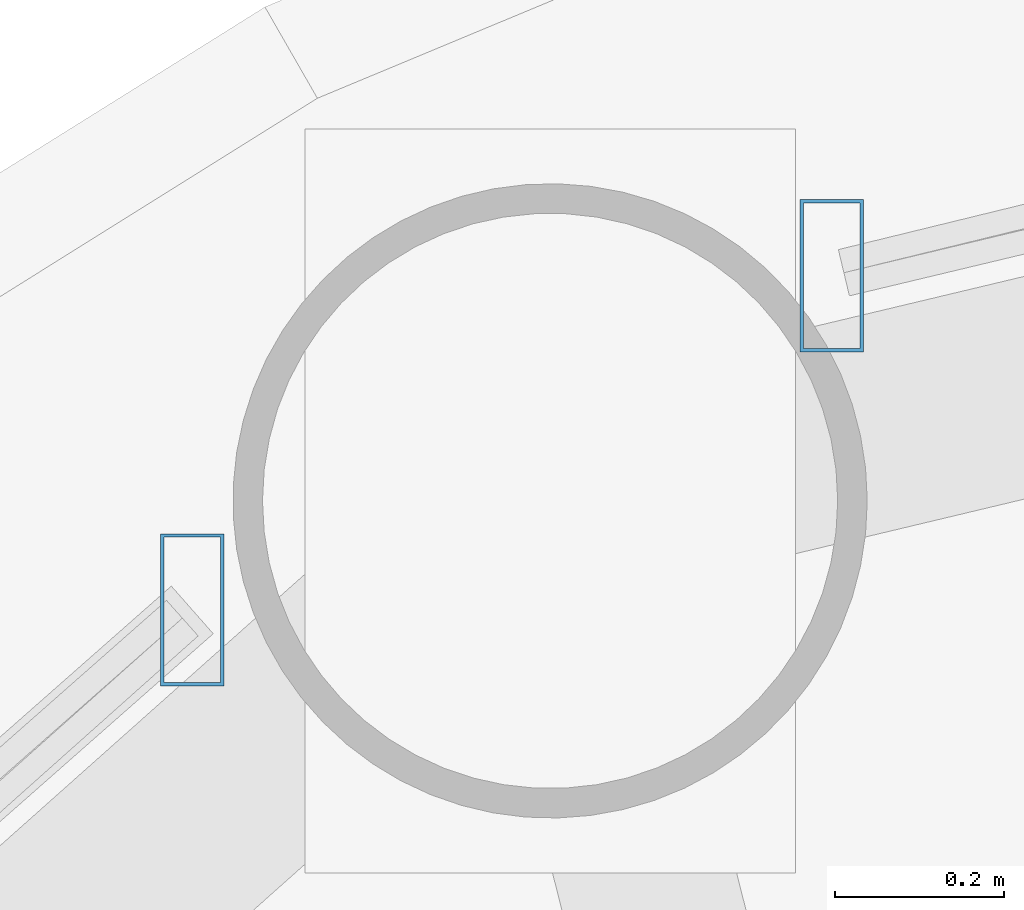
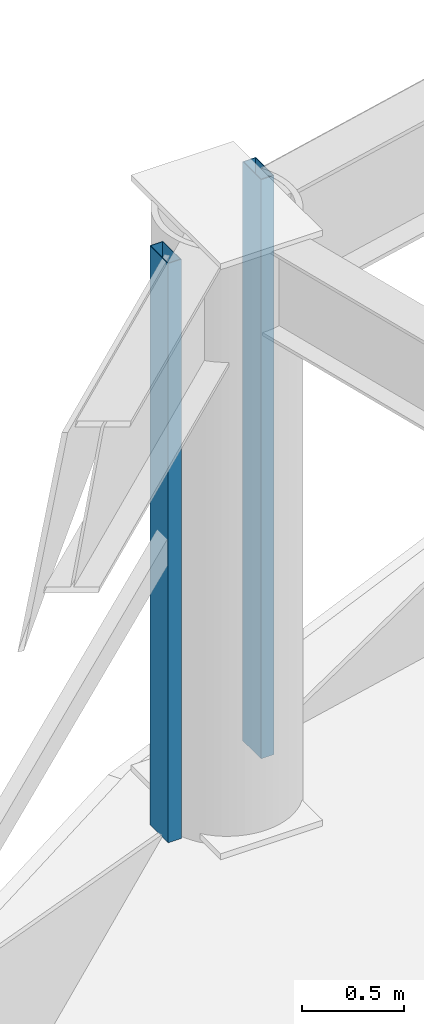
# One storey, part 16 of 31: 2 members, 2 elements without a shape of their own.
"""IFC4 building model written with IfcOpenShell, lengths in metres."""

from ifc_helpers import new_model, si_unit, direction, frame, origin, origin_2d, place, context, subcontext, project, spatial, hollow_rectangle, extrude, material, layer, layer_set, material_profile, profile_set, type_object, element, aggregate, save


model = new_model("IFC4")

# Units and contexts
model_context = context("Model", 3, precision=1e-05, world=origin(), true_north=direction((0.0, 1.0)))
body_context = subcontext(model_context, "Body", "Model", "MODEL_VIEW")
ifc_project = project(units=[si_unit("LENGTHUNIT", "METRE"), si_unit("AREAUNIT", "SQUARE_METRE"), si_unit("VOLUMEUNIT", "CUBIC_METRE"), si_unit("PLANEANGLEUNIT", "RADIAN"), si_unit("MASSUNIT", "GRAM", prefix="KILO")], contexts=[model_context])

# Site, building, storey
site_placement = place(None, origin())
site = spatial("IfcSite", under=ifc_project, at=site_placement, CompositionType="ELEMENT")
building_placement = place(site_placement, origin())
building = spatial("IfcBuilding", under=site, at=building_placement, Name="Vantalir Tower", CompositionType="ELEMENT")
storey_placement = place(building_placement, frame((0.0, 0.0, 123.449951171875)))
storey = spatial("IfcBuildingStorey", under=building, at=storey_placement, Name="L30", CompositionType="ELEMENT", Elevation=123.449951171875)

# Curtain wall, member
ifc_material_1 = material(Name="Champagne-silver PVDF aluminium and double-silver Low-E glass", Category="aluminium")
ifc_layer = layer(ifc_material_1, 0.199951171875)
ifc_layer_set = layer_set([ifc_layer], Name="Champagne-silver PVDF aluminium and double-silver Low-E glass")
curtain_wall_type = type_object("IfcCurtainWallType", Name="CW-DIAMOND-Z2", PredefinedType="USERDEFINED", material=ifc_layer_set)
curtain_wall_1_placement = place(storey_placement, origin())
curtain_wall_1 = element("IfcCurtainWall", 1, at=curtain_wall_1_placement, inside=storey, type_object=curtain_wall_type, Name="L30 Quilted Pyramid-Diamond Curtain Wall S04", ObjectType="UNITISED CURTAIN WALL", PredefinedType="USERDEFINED")
ifc_material_2 = material(Name="Champagne-silver PVDF aluminium 6063-T6", Category="aluminium")
ifc_material_profile = material_profile(ifc_material_2, hollow_rectangle(XDim=0.074951171875, YDim=0.179931640625, WallThickness=0.00390625, at=origin_2d()), Name="Champagne-silver PVDF aluminium 6063-T6")
ifc_profile_set = profile_set([ifc_material_profile], Name="Champagne-silver PVDF aluminium 6063-T6")
member_type = type_object("IfcMemberType", Name="CWM-180x75", PredefinedType="MULLION", material=ifc_profile_set)
member_1_placement = place(storey_placement, frame((19.1630859375, 44.80908203125, 0.045166015625), z_axis=(0.0, 0.0, 1.0), x_axis=(1.0, 0.0, 0.0)))
member_1 = element("IfcMember", 2, at=member_1_placement, type_object=member_type, Name="CW-L30-S04 Mullion 2", PredefinedType="MULLION", context=body_context, shape_type="SweptSolid", body=[
    extrude(hollow_rectangle(XDim=0.074951171875, YDim=0.179931640625, WallThickness=0.00390625, at=origin_2d()), origin(), (0.0, 0.0, 1.0), 3.47998046875),
])
aggregate(curtain_wall_1, [member_1])

curtain_wall_2_placement = place(storey_placement, origin())
curtain_wall_2 = element("IfcCurtainWall", 3, at=curtain_wall_2_placement, inside=storey, type_object=curtain_wall_type, Name="L30 Quilted Pyramid-Diamond Curtain Wall S05", ObjectType="UNITISED CURTAIN WALL", PredefinedType="USERDEFINED")
member_2_placement = place(storey_placement, frame((18.406982421875, 44.4140625, 0.045166015625), z_axis=(0.0, 0.0, 1.0), x_axis=(1.0, 0.0, 0.0)))
member_2 = element("IfcMember", 4, at=member_2_placement, type_object=member_type, Name="CW-L30-S05 Mullion 1", PredefinedType="MULLION", context=body_context, shape_type="SweptSolid", body=[
    extrude(hollow_rectangle(XDim=0.074951171875, YDim=0.179931640625, WallThickness=0.00390625, at=origin_2d()), origin(), (0.0, 0.0, 1.0), 3.47998046875),
])
aggregate(curtain_wall_2, [member_2])

save(model, "model.ifc")
